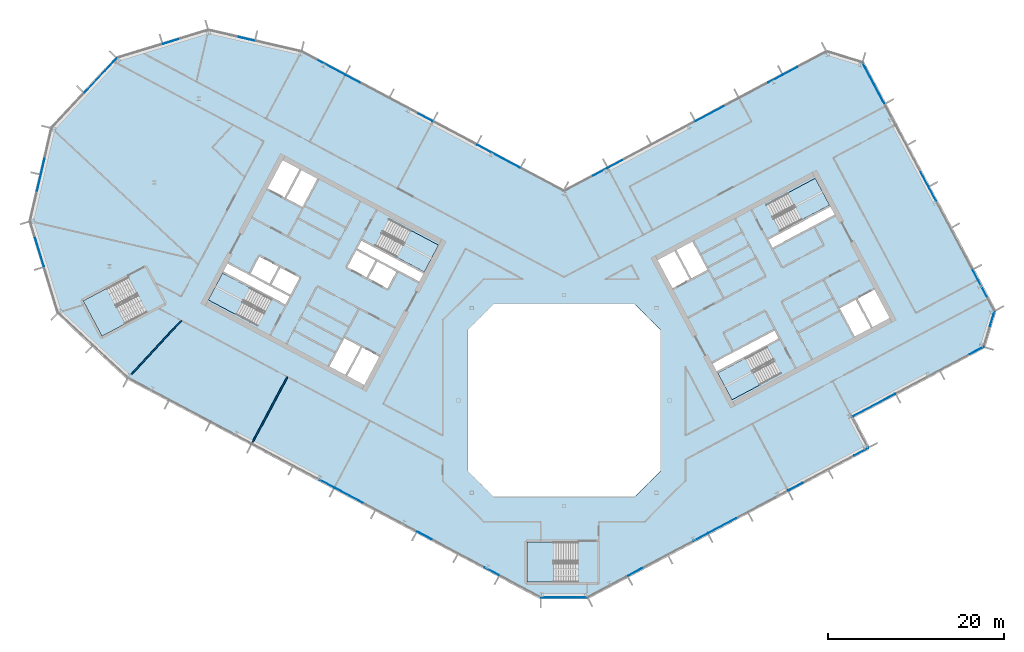
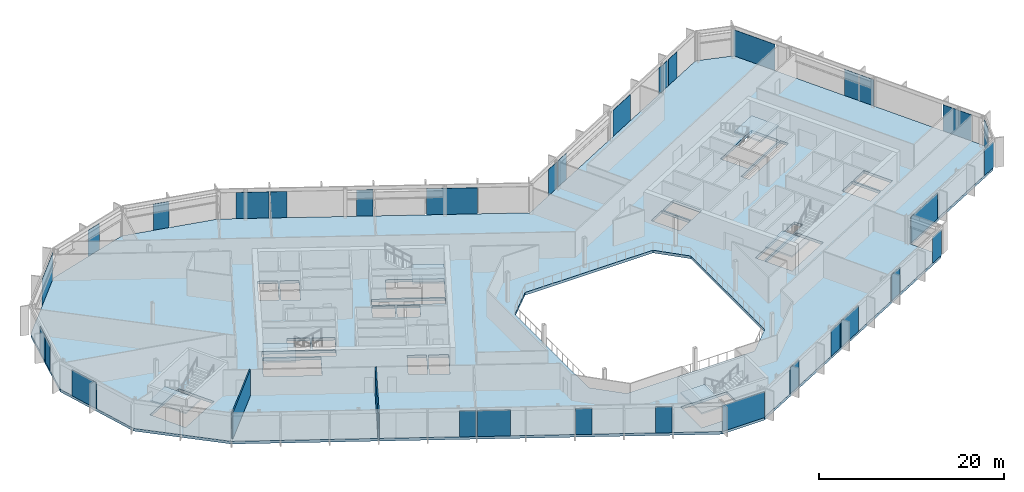
# One storey, part 11 of 26: 32 plates, 7 slabs, 2 walls, 19 elements without a shape of their own.
"""IFC4 building model written with IfcOpenShell, lengths in metres."""

from ifc_helpers import new_model, si_unit, direction, frame, frame_2d, origin, origin_2d, place, context, subcontext, project, spatial, polyline, rectangle, outline, extrude, material, layer, layer_set, type_object, element, aggregate, save


model = new_model("IFC4")

# Units and contexts
model_context = context("Model", 3, precision=1e-05, world=origin(), true_north=direction((0.0, 1.0)))
body_context = subcontext(model_context, "Body", "Model", "MODEL_VIEW")
ifc_project = project(units=[si_unit("LENGTHUNIT", "METRE"), si_unit("AREAUNIT", "SQUARE_METRE"), si_unit("VOLUMEUNIT", "CUBIC_METRE"), si_unit("PLANEANGLEUNIT", "RADIAN"), si_unit("MASSUNIT", "GRAM", prefix="KILO")], contexts=[model_context])

# Site, building, storey
site_placement = place(None, origin())
site = spatial("IfcSite", under=ifc_project, at=site_placement, CompositionType="ELEMENT")
building_placement = place(site_placement, origin())
building = spatial("IfcBuilding", under=site, at=building_placement, Name="Cormorant Relay Tower", CompositionType="ELEMENT")
storey_placement = place(building_placement, frame((0.0, 0.0, 248.10009765625)))
storey = spatial("IfcBuildingStorey", under=building, at=storey_placement, Name="L55", CompositionType="ELEMENT", Elevation=248.10009765625)

# Curtain wall, plates
ifc_material_1 = material(Name="Aluminium 6063-T6 anodised bronze", Category="aluminium")
ifc_layer_1 = layer(ifc_material_1, 0.199951171875)
ifc_layer_set_1 = layer_set([ifc_layer_1], Name="CW1 unitised bronze curtain wall with vertical fins")
curtain_wall_type = type_object("IfcCurtainWallType", Name="CW1 unitised bronze curtain wall with vertical fins", PredefinedType="NOTDEFINED", material=ifc_layer_set_1)
curtain_wall_1_placement = place(storey_placement, origin())
curtain_wall_1 = element("IfcCurtainWall", 1, at=curtain_wall_1_placement, inside=storey, type_object=curtain_wall_type, Name="CW1 curtain wall 2", PredefinedType="NOTDEFINED")
ifc_material_2 = material(Name="Tinted laminated glass", Category="glass")
ifc_layer_2 = layer(ifc_material_2, 0.0400390625)
ifc_layer_set_2 = layer_set([ifc_layer_2], Name="CW1 tinted vision panel 1800 module")
plate_type_1 = type_object("IfcPlateType", Name="CW1 tinted vision panel 1800 module", PredefinedType="CURTAIN_PANEL", material=ifc_layer_set_2)
plate_1_placement = place(storey_placement, frame((8.080810546875, -19.510009765625, 0.0), z_axis=(0.0, 0.0, 1.0), x_axis=(0.882947592859, 0.469471562786, 0.0)))
plate_1 = element("IfcPlate", 2, at=plate_1_placement, type_object=plate_type_1, Name="CW1 panel V01", PredefinedType="CURTAIN_PANEL", context=body_context, shape_type="SweptSolid", body=[
    extrude(rectangle(XDim=1.800048828125, YDim=0.0400390625, at=origin_2d()), origin(), (0.0, 0.0, 1.0), 3.449951171875),
])
plate_2_placement = place(storey_placement, frame((15.48291015625, -15.57421875, 0.0), z_axis=(0.0, 0.0, 1.0), x_axis=(0.882947592859, 0.469471562786, 0.0)))
plate_2 = element("IfcPlate", 3, at=plate_2_placement, type_object=plate_type_1, Name="CW1 panel V03", PredefinedType="CURTAIN_PANEL", context=body_context, shape_type="SweptSolid", body=[
    extrude(rectangle(XDim=1.800048828125, YDim=0.0400390625, at=origin_2d()), origin(), (0.0, 0.0, 1.0), 3.449951171875),
])
plate_3_placement = place(storey_placement, frame((26.328125, -9.8076171875, 0.0), z_axis=(0.0, 0.0, 1.0), x_axis=(0.882947592859, 0.469471562786, 0.0)))
plate_3 = element("IfcPlate", 4, at=plate_3_placement, type_object=plate_type_1, Name="CW1 panel V06", PredefinedType="CURTAIN_PANEL", context=body_context, shape_type="SweptSolid", body=[
    extrude(rectangle(XDim=1.800048828125, YDim=0.0400390625, at=origin_2d()), origin(), (0.0, 0.0, 1.0), 3.449951171875),
])
plate_4_placement = place(storey_placement, frame((33.796142578125, -5.8369140625, 0.0), z_axis=(0.0, 0.0, 1.0), x_axis=(0.882947592859, 0.469471562786, 0.0)))
plate_4 = element("IfcPlate", 5, at=plate_4_placement, type_object=plate_type_1, Name="CW1 panel V08", PredefinedType="CURTAIN_PANEL", context=body_context, shape_type="SweptSolid", body=[
    extrude(rectangle(XDim=1.800048828125, YDim=0.0400390625, at=origin_2d()), origin(), (0.0, 0.0, 1.0), 3.449951171875),
])

# Curtain wall, plate
curtain_wall_2_placement = place(storey_placement, origin())
curtain_wall_2 = element("IfcCurtainWall", 6, at=curtain_wall_2_placement, inside=storey, type_object=curtain_wall_type, Name="CW1 curtain wall 4", PredefinedType="NOTDEFINED")
plate_5_placement = place(storey_placement, frame((46.928466796875, 5.67578125, 0.0), z_axis=(0.0, 0.0, 1.0), x_axis=(0.882947592859, 0.469471562786, 0.0)))
plate_5 = element("IfcPlate", 7, at=plate_5_placement, type_object=plate_type_1, Name="CW1 panel V02", PredefinedType="CURTAIN_PANEL", context=body_context, shape_type="SweptSolid", body=[
    extrude(rectangle(XDim=1.800048828125, YDim=0.0400390625, at=origin_2d()), origin(), (0.0, 0.0, 1.0), 3.449951171875),
])

curtain_wall_3_placement = place(storey_placement, origin())
curtain_wall_3 = element("IfcCurtainWall", 8, at=curtain_wall_3_placement, inside=storey, type_object=curtain_wall_type, Name="CW1 curtain wall 5", PredefinedType="NOTDEFINED")
plate_6_placement = place(storey_placement, frame((48.710205078125, 9.306884765625, 0.0), z_axis=(0.0, 0.0, 1.0), x_axis=(0.292371704723, 0.956304755963, 0.0)))
plate_6 = element("IfcPlate", 9, at=plate_6_placement, type_object=plate_type_1, Name="CW1 panel V01", PredefinedType="CURTAIN_PANEL", context=body_context, shape_type="SweptSolid", body=[
    extrude(rectangle(XDim=1.800048828125, YDim=0.0400390625, at=origin_2d()), origin(), (0.0, 0.0, 1.0), 3.449951171875),
])
aggregate(curtain_wall_3, [plate_6])

# Curtain wall, plates
curtain_wall_4_placement = place(storey_placement, origin())
curtain_wall_4 = element("IfcCurtainWall", 10, at=curtain_wall_4_placement, inside=storey, type_object=curtain_wall_type, Name="CW1 curtain wall 6", PredefinedType="NOTDEFINED")
plate_7_placement = place(storey_placement, frame((41.91796875, 23.448974609375, 0.0), z_axis=(0.0, 0.0, 1.0), x_axis=(-0.469471562786, 0.882947592859, 0.0)))
plate_7 = element("IfcPlate", 11, at=plate_7_placement, type_object=plate_type_1, Name="CW1 panel V03", PredefinedType="CURTAIN_PANEL", context=body_context, shape_type="SweptSolid", body=[
    extrude(rectangle(XDim=1.800048828125, YDim=0.0400390625, at=origin_2d()), origin(), (0.0, 0.0, 1.0), 3.449951171875),
])
plate_8_placement = place(storey_placement, frame((41.00244140625, 25.1708984375, 0.0), z_axis=(0.0, 0.0, 1.0), x_axis=(-0.469471562786, 0.882947592859, 0.0)))
plate_8 = element("IfcPlate", 12, at=plate_8_placement, type_object=plate_type_1, Name="CW1 panel V04", PredefinedType="CURTAIN_PANEL", context=body_context, shape_type="SweptSolid", body=[
    extrude(rectangle(XDim=1.800048828125, YDim=0.0400390625, at=origin_2d()), origin(), (0.0, 0.0, 1.0), 3.449951171875),
])

curtain_wall_5_placement = place(storey_placement, origin())
curtain_wall_5 = element("IfcCurtainWall", 13, at=curtain_wall_5_placement, inside=storey, type_object=curtain_wall_type, Name="CW1 curtain wall 8", PredefinedType="NOTDEFINED")
plate_9_placement = place(storey_placement, frame((25.746337890625, 37.49609375, 0.0), z_axis=(0.0, 0.0, 1.0), x_axis=(-0.882947592859, -0.469471562786, 0.0)))
plate_9 = element("IfcPlate", 14, at=plate_9_placement, type_object=plate_type_1, Name="CW1 panel V01", PredefinedType="CURTAIN_PANEL", context=body_context, shape_type="SweptSolid", body=[
    extrude(rectangle(XDim=1.800048828125, YDim=0.0400390625, at=origin_2d()), origin(), (0.0, 0.0, 1.0), 3.449951171875),
])
plate_10_placement = place(storey_placement, frame((24.0244140625, 36.580810546875, 0.0), z_axis=(0.0, 0.0, 1.0), x_axis=(-0.882947592859, -0.469471562786, 0.0)))
plate_10 = element("IfcPlate", 15, at=plate_10_placement, type_object=plate_type_1, Name="CW1 panel V02", PredefinedType="CURTAIN_PANEL", context=body_context, shape_type="SweptSolid", body=[
    extrude(rectangle(XDim=1.800048828125, YDim=0.0400390625, at=origin_2d()), origin(), (0.0, 0.0, 1.0), 3.449951171875),
])
plate_11_placement = place(storey_placement, frame((5.830322265625, 26.90673828125, 0.0), z_axis=(0.0, 0.0, 1.0), x_axis=(-0.882947592859, -0.469471562786, 0.0)))
plate_11 = element("IfcPlate", 16, at=plate_11_placement, type_object=plate_type_1, Name="CW1 panel V06", PredefinedType="CURTAIN_PANEL", context=body_context, shape_type="SweptSolid", body=[
    extrude(rectangle(XDim=1.800048828125, YDim=0.0400390625, at=origin_2d()), origin(), (0.0, 0.0, 1.0), 3.449951171875),
])
plate_12_placement = place(storey_placement, frame((4.108642578125, 25.9912109375, 0.0), z_axis=(0.0, 0.0, 1.0), x_axis=(-0.882947592859, -0.469471562786, 0.0)))
plate_12 = element("IfcPlate", 17, at=plate_12_placement, type_object=plate_type_1, Name="CW1 panel V07", PredefinedType="CURTAIN_PANEL", context=body_context, shape_type="SweptSolid", body=[
    extrude(rectangle(XDim=1.800048828125, YDim=0.0400390625, at=origin_2d()), origin(), (0.0, 0.0, 1.0), 3.449951171875),
])

curtain_wall_6_placement = place(storey_placement, origin())
curtain_wall_6 = element("IfcCurtainWall", 18, at=curtain_wall_6_placement, inside=storey, type_object=curtain_wall_type, Name="CW1 curtain wall 9", PredefinedType="NOTDEFINED")
plate_13_placement = place(storey_placement, frame((-15.788330078125, 32.201416015625, 0.0), z_axis=(0.0, 0.0, 1.0), x_axis=(-0.882947592859, 0.469471562786, 0.0)))
plate_13 = element("IfcPlate", 19, at=plate_13_placement, type_object=plate_type_1, Name="CW1 panel V03", PredefinedType="CURTAIN_PANEL", context=body_context, shape_type="SweptSolid", body=[
    extrude(rectangle(XDim=1.800048828125, YDim=0.0400390625, at=origin_2d()), origin(), (0.0, 0.0, 1.0), 3.449951171875),
])
plate_14_placement = place(storey_placement, frame((-24.0244140625, 36.580810546875, 0.0), z_axis=(0.0, 0.0, 1.0), x_axis=(-0.882947592859, 0.469471562786, 0.0)))
plate_14 = element("IfcPlate", 20, at=plate_14_placement, type_object=plate_type_1, Name="CW1 panel V05", PredefinedType="CURTAIN_PANEL", context=body_context, shape_type="SweptSolid", body=[
    extrude(rectangle(XDim=1.800048828125, YDim=0.0400390625, at=origin_2d()), origin(), (0.0, 0.0, 1.0), 3.449951171875),
])

# Curtain wall, plate
curtain_wall_7_placement = place(storey_placement, origin())
curtain_wall_7 = element("IfcCurtainWall", 21, at=curtain_wall_7_placement, inside=storey, type_object=curtain_wall_type, Name="CW1 curtain wall 10", PredefinedType="NOTDEFINED")
plate_15_placement = place(storey_placement, frame((-36.114990234375, 41.129638671875, 0.0), z_axis=(0.0, 0.0, 1.0), x_axis=(-0.974370064785, 0.224951054344, 0.0)))
plate_15 = element("IfcPlate", 22, at=plate_15_placement, type_object=plate_type_1, Name="CW1 panel V01", PredefinedType="CURTAIN_PANEL", context=body_context, shape_type="SweptSolid", body=[
    extrude(rectangle(XDim=1.800048828125, YDim=0.0400390625, at=origin_2d()), origin(), (0.0, 0.0, 1.0), 3.449951171875),
])
aggregate(curtain_wall_7, [plate_15])

curtain_wall_8_placement = place(storey_placement, origin())
curtain_wall_8 = element("IfcCurtainWall", 23, at=curtain_wall_8_placement, inside=storey, type_object=curtain_wall_type, Name="CW1 curtain wall 11", PredefinedType="NOTDEFINED")
plate_16_placement = place(storey_placement, frame((-44.73681640625, 40.82861328125, 0.0), z_axis=(0.0, 0.0, 1.0), x_axis=(-0.956304755963, -0.292371704723, 0.0)))
plate_16 = element("IfcPlate", 24, at=plate_16_placement, type_object=plate_type_1, Name="CW1 panel V01", PredefinedType="CURTAIN_PANEL", context=body_context, shape_type="SweptSolid", body=[
    extrude(rectangle(XDim=1.800048828125, YDim=0.0400390625, at=origin_2d()), origin(), (0.0, 0.0, 1.0), 3.449951171875),
])
aggregate(curtain_wall_8, [plate_16])

# Curtain wall, plates
curtain_wall_9_placement = place(storey_placement, origin())
curtain_wall_9 = element("IfcCurtainWall", 25, at=curtain_wall_9_placement, inside=storey, type_object=curtain_wall_type, Name="CW1 curtain wall 13", PredefinedType="NOTDEFINED")
plate_17_placement = place(storey_placement, frame((-59.29736328125, 26.643798828125, 0.0), z_axis=(0.0, 0.0, 1.0), x_axis=(-0.224951054344, -0.974370064785, 0.0)))
plate_17 = element("IfcPlate", 26, at=plate_17_placement, type_object=plate_type_1, Name="CW1 panel V01", PredefinedType="CURTAIN_PANEL", context=body_context, shape_type="SweptSolid", body=[
    extrude(rectangle(XDim=1.800048828125, YDim=0.0400390625, at=origin_2d()), origin(), (0.0, 0.0, 1.0), 3.449951171875),
])
plate_18_placement = place(storey_placement, frame((-59.736083984375, 24.74365234375, 0.0), z_axis=(0.0, 0.0, 1.0), x_axis=(-0.224951054344, -0.974370064785, 0.0)))
plate_18 = element("IfcPlate", 27, at=plate_18_placement, type_object=plate_type_1, Name="CW1 panel V02", PredefinedType="CURTAIN_PANEL", context=body_context, shape_type="SweptSolid", body=[
    extrude(rectangle(XDim=1.800048828125, YDim=0.0400390625, at=origin_2d()), origin(), (0.0, 0.0, 1.0), 3.449951171875),
])
aggregate(curtain_wall_9, [plate_17, plate_18])

curtain_wall_10_placement = place(storey_placement, origin())
curtain_wall_10 = element("IfcCurtainWall", 28, at=curtain_wall_10_placement, inside=storey, type_object=curtain_wall_type, Name="CW1 curtain wall 16", PredefinedType="NOTDEFINED")
plate_19_placement = place(storey_placement, frame((-26.990478515625, -9.45556640625, 0.0), z_axis=(0.0, 0.0, 1.0), x_axis=(0.882947592859, -0.469471562786, 0.0)))
plate_19 = element("IfcPlate", 29, at=plate_19_placement, type_object=plate_type_1, Name="CW1 panel V05", PredefinedType="CURTAIN_PANEL", context=body_context, shape_type="SweptSolid", body=[
    extrude(rectangle(XDim=1.800048828125, YDim=0.0400390625, at=origin_2d()), origin(), (0.0, 0.0, 1.0), 3.449951171875),
])
plate_20_placement = place(storey_placement, frame((-15.880126953125, -15.363037109375, 0.0), z_axis=(0.0, 0.0, 1.0), x_axis=(0.882947592859, -0.469471562786, 0.0)))
plate_20 = element("IfcPlate", 30, at=plate_20_placement, type_object=plate_type_1, Name="CW1 panel V08", PredefinedType="CURTAIN_PANEL", context=body_context, shape_type="SweptSolid", body=[
    extrude(rectangle(XDim=1.800048828125, YDim=0.0400390625, at=origin_2d()), origin(), (0.0, 0.0, 1.0), 3.449951171875),
])
plate_21_placement = place(storey_placement, frame((-8.21337890625, -19.439453125, 0.0), z_axis=(0.0, 0.0, 1.0), x_axis=(0.882947592859, -0.469471562786, 0.0)))
plate_21 = element("IfcPlate", 31, at=plate_21_placement, type_object=plate_type_1, Name="CW1 panel V10", PredefinedType="CURTAIN_PANEL", context=body_context, shape_type="SweptSolid", body=[
    extrude(rectangle(XDim=1.800048828125, YDim=0.0400390625, at=origin_2d()), origin(), (0.0, 0.0, 1.0), 3.449951171875),
])

# Plate
ifc_material_3 = material(Name="Tinted laminated glass", Category="glass")
ifc_layer_3 = layer(ifc_material_3, 0.0400390625)
ifc_layer_set_3 = layer_set([ifc_layer_3], Name="CW1 tinted vision panel 3600 module")
plate_type_2 = type_object("IfcPlateType", Name="CW1 tinted vision panel 3600 module", PredefinedType="CURTAIN_PANEL", material=ifc_layer_set_3)
plate_22_placement = place(storey_placement, frame((17.999267578125, -14.236328125, 0.0), z_axis=(0.0, 0.0, 1.0), x_axis=(0.882947592859, 0.469471562786, 0.0)))
plate_22 = element("IfcPlate", 32, at=plate_22_placement, type_object=plate_type_2, Name="CW1 panel V04", PredefinedType="CURTAIN_PANEL", context=body_context, shape_type="SweptSolid", body=[
    extrude(rectangle(XDim=3.60009765625, YDim=0.0400390625, at=origin_2d()), origin(), (0.0, 0.0, 1.0), 3.449951171875),
])

aggregate(curtain_wall_1, [plate_1, plate_2, plate_22, plate_3, plate_4])

plate_23_placement = place(storey_placement, frame((47.34814453125, 13.236328125, 0.0), z_axis=(0.0, 0.0, 1.0), x_axis=(-0.469471562786, 0.882947592859, 0.0)))
plate_23 = element("IfcPlate", 33, at=plate_23_placement, type_object=plate_type_2, Name="CW1 panel V01", PredefinedType="CURTAIN_PANEL", context=body_context, shape_type="SweptSolid", body=[
    extrude(rectangle(XDim=3.60009765625, YDim=0.0400390625, at=origin_2d()), origin(), (0.0, 0.0, 1.0), 3.449951171875),
])

plate_24_placement = place(storey_placement, frame((16.5830078125, 32.6240234375, 0.0), z_axis=(0.0, 0.0, 1.0), x_axis=(-0.882947592859, -0.469471562786, 0.0)))
plate_24 = element("IfcPlate", 34, at=plate_24_placement, type_object=plate_type_2, Name="CW1 panel V04", PredefinedType="CURTAIN_PANEL", context=body_context, shape_type="SweptSolid", body=[
    extrude(rectangle(XDim=3.60009765625, YDim=0.0400390625, at=origin_2d()), origin(), (0.0, 0.0, 1.0), 3.449951171875),
])

aggregate(curtain_wall_5, [plate_9, plate_10, plate_24, plate_11, plate_12])

plate_25_placement = place(storey_placement, frame((-26.541015625, 37.918701171875, 0.0), z_axis=(0.0, 0.0, 1.0), x_axis=(-0.882947592859, 0.469471562786, 0.0)))
plate_25 = element("IfcPlate", 35, at=plate_25_placement, type_object=plate_type_2, Name="CW1 panel V06", PredefinedType="CURTAIN_PANEL", context=body_context, shape_type="SweptSolid", body=[
    extrude(rectangle(XDim=3.60009765625, YDim=0.0400390625, at=origin_2d()), origin(), (0.0, 0.0, 1.0), 3.449951171875),
])

# Curtain wall, plate
curtain_wall_11_placement = place(storey_placement, origin())
curtain_wall_11 = element("IfcCurtainWall", 36, at=curtain_wall_11_placement, inside=storey, type_object=curtain_wall_type, Name="CW1 curtain wall 14", PredefinedType="NOTDEFINED")
plate_26_placement = place(storey_placement, frame((-59.697998046875, 16.98291015625, 0.0), z_axis=(0.0, 0.0, 1.0), x_axis=(0.292371704723, -0.956304755963, 0.0)))
plate_26 = element("IfcPlate", 37, at=plate_26_placement, type_object=plate_type_2, Name="CW1 panel V01", PredefinedType="CURTAIN_PANEL", context=body_context, shape_type="SweptSolid", body=[
    extrude(rectangle(XDim=3.60009765625, YDim=0.0400390625, at=origin_2d()), origin(), (0.0, 0.0, 1.0), 3.449951171875),
])
aggregate(curtain_wall_11, [plate_26])

# Plate
plate_27_placement = place(storey_placement, frame((-24.47412109375, -10.79345703125, 0.0), z_axis=(0.0, 0.0, 1.0), x_axis=(0.882947592859, -0.469471562786, 0.0)))
plate_27 = element("IfcPlate", 38, at=plate_27_placement, type_object=plate_type_2, Name="CW1 panel V06", PredefinedType="CURTAIN_PANEL", context=body_context, shape_type="SweptSolid", body=[
    extrude(rectangle(XDim=3.60009765625, YDim=0.0400390625, at=origin_2d()), origin(), (0.0, 0.0, 1.0), 3.449951171875),
])

aggregate(curtain_wall_10, [plate_19, plate_27, plate_20, plate_21])

# Curtain wall, plate
curtain_wall_12_placement = place(storey_placement, origin())
curtain_wall_12 = element("IfcCurtainWall", 39, at=curtain_wall_12_placement, inside=storey, type_object=curtain_wall_type, Name="CW1 curtain wall 1", PredefinedType="NOTDEFINED")
ifc_material_4 = material(Name="Tinted laminated glass", Category="glass")
ifc_layer_4 = layer(ifc_material_4, 0.0400390625)
ifc_layer_set_4 = layer_set([ifc_layer_4], Name="CW1 tinted vision panel 5400 module")
plate_type_3 = type_object("IfcPlateType", Name="CW1 tinted vision panel 5400 module", PredefinedType="CURTAIN_PANEL", material=ifc_layer_set_4)
plate_28_placement = place(storey_placement, frame((0.03759765625, -22.3955078125, 0.0), z_axis=(0.0, 0.0, 1.0), x_axis=(1.0, 0.0, 0.0)))
plate_28 = element("IfcPlate", 40, at=plate_28_placement, type_object=plate_type_3, Name="CW1 panel V00", PredefinedType="CURTAIN_PANEL", context=body_context, shape_type="SweptSolid", body=[
    extrude(rectangle(XDim=5.22265625, YDim=0.0400390625, at=origin_2d()), origin(), (0.0, 0.0, 1.0), 3.449951171875),
])
aggregate(curtain_wall_12, [plate_28])

# Plate
plate_29_placement = place(storey_placement, frame((35.247802734375, -0.534912109375, 0.0), z_axis=(0.0, 0.0, 1.0), x_axis=(0.882947592859, 0.469471562786, 0.0)))
plate_29 = element("IfcPlate", 41, at=plate_29_placement, type_object=plate_type_3, Name="CW1 panel V00", PredefinedType="CURTAIN_PANEL", context=body_context, shape_type="SweptSolid", body=[
    extrude(rectangle(XDim=5.441650390625, YDim=0.0400390625, at=origin_2d()), origin(), (0.0, 0.0, 1.0), 3.449951171875),
])

aggregate(curtain_wall_2, [plate_29, plate_5])

plate_30_placement = place(storey_placement, frame((35.18310546875, 36.11572265625, 0.0), z_axis=(0.0, 0.0, 1.0), x_axis=(-0.469471562786, 0.882947592859, 0.0)))
plate_30 = element("IfcPlate", 42, at=plate_30_placement, type_object=plate_type_3, Name="CW1 panel V06", PredefinedType="CURTAIN_PANEL", context=body_context, shape_type="SweptSolid", body=[
    extrude(rectangle(XDim=5.25830078125, YDim=0.0400390625, at=origin_2d()), origin(), (0.0, 0.0, 1.0), 3.449951171875),
])

aggregate(curtain_wall_4, [plate_23, plate_7, plate_8, plate_30])

plate_31_placement = place(storey_placement, frame((-7.458984375, 27.772705078125, 0.0), z_axis=(0.0, 0.0, 1.0), x_axis=(-0.882947592859, 0.469471562786, 0.0)))
plate_31 = element("IfcPlate", 43, at=plate_31_placement, type_object=plate_type_3, Name="CW1 panel V01", PredefinedType="CURTAIN_PANEL", context=body_context, shape_type="SweptSolid", body=[
    extrude(rectangle(XDim=5.489013671875, YDim=0.0400390625, at=origin_2d()), origin(), (0.0, 0.0, 1.0), 3.449951171875),
])

aggregate(curtain_wall_6, [plate_31, plate_13, plate_14, plate_25])

# Curtain wall, plate
curtain_wall_13_placement = place(storey_placement, origin())
curtain_wall_13 = element("IfcCurtainWall", 44, at=curtain_wall_13_placement, inside=storey, type_object=curtain_wall_type, Name="CW1 curtain wall 12", PredefinedType="NOTDEFINED")
plate_32_placement = place(storey_placement, frame((-52.72900390625, 36.961181640625, 0.0), z_axis=(0.0, 0.0, 1.0), x_axis=(-0.681998360062, -0.731353701619, 0.0)))
plate_32 = element("IfcPlate", 45, at=plate_32_placement, type_object=plate_type_3, Name="CW1 panel V00", PredefinedType="CURTAIN_PANEL", context=body_context, shape_type="SweptSolid", body=[
    extrude(rectangle(XDim=5.28515625, YDim=0.0400390625, at=origin_2d()), origin(), (0.0, 0.0, 1.0), 3.449951171875),
])
aggregate(curtain_wall_13, [plate_32])

# Stair, slab
ifc_material_5 = material(Name="Concrete 40 MPa", Category="concrete")
stair_type_1 = type_object("IfcStairType", Name="Exit stair 1500", PredefinedType="HALF_TURN_STAIR", material=ifc_material_5)
stair_1_placement = place(storey_placement, origin())
stair_1 = element("IfcStair", 46, at=stair_1_placement, inside=storey, type_object=stair_type_1, Name="L55 Stair", PredefinedType="HALF_TURN_STAIR")
ifc_material_6 = material(Name="Concrete 40 MPa", Category="concrete")
ifc_layer_5 = layer(ifc_material_6, 0.199951171875)
ifc_layer_set_5 = layer_set([ifc_layer_5], Name="Exit stair landing 200")
slab_type_1 = type_object("IfcSlabType", Name="Exit stair landing 200", PredefinedType="LANDING", material=ifc_layer_set_5)
slab_1_placement = place(storey_placement, frame((0.0, 0.0, 1.75)))
slab_1 = element("IfcSlab", 47, at=slab_1_placement, type_object=slab_type_1, Name="A1 landing 1", PredefinedType="LANDING", context=body_context, shape_type="SweptSolid", body=[
    extrude(outline(polyline([(-19.029541015625, 16.29052734375), (-15.89501953125, 14.6240234375), (-14.275390625, 17.670166015625), (-17.40966796875, 19.3369140625), (-19.029541015625, 16.29052734375)])), origin(), (0.0, 0.0, 1.0), 0.199951171875),
])
aggregate(stair_1, [slab_1])

stair_2_placement = place(storey_placement, origin())
stair_2 = element("IfcStair", 48, at=stair_2_placement, inside=storey, type_object=stair_type_1, Name="L55 Stair", PredefinedType="HALF_TURN_STAIR")
slab_2_placement = place(storey_placement, frame((0.0, 0.0, 1.75)))
slab_2 = element("IfcSlab", 49, at=slab_2_placement, type_object=slab_type_1, Name="A2 landing 1", PredefinedType="LANDING", context=body_context, shape_type="SweptSolid", body=[
    extrude(outline(polyline([(-35.71337890625, 12.816650390625), (-38.84765625, 14.483154296875), (-40.467529296875, 11.43701171875), (-37.3330078125, 9.7705078125), (-35.71337890625, 12.816650390625)])), origin(), (0.0, 0.0, 1.0), 0.199951171875),
])
aggregate(stair_2, [slab_2])

stair_3_placement = place(storey_placement, origin())
stair_3 = element("IfcStair", 50, at=stair_3_placement, inside=storey, type_object=stair_type_1, Name="L55 Stair", PredefinedType="HALF_TURN_STAIR")
slab_3_placement = place(storey_placement, frame((0.0, 0.0, 1.75)))
slab_3 = element("IfcSlab", 51, at=slab_3_placement, type_object=slab_type_1, Name="B1 landing 1", PredefinedType="LANDING", context=body_context, shape_type="SweptSolid", body=[
    extrude(outline(polyline([(20.614990234375, 4.78857421875), (17.48046875, 3.1220703125), (19.10009765625, 0.075927734375), (22.234619140625, 1.742431640625), (20.614990234375, 4.78857421875)])), origin(), (0.0, 0.0, 1.0), 0.199951171875),
])
aggregate(stair_3, [slab_3])

stair_4_placement = place(storey_placement, origin())
stair_4 = element("IfcStair", 52, at=stair_4_placement, inside=storey, type_object=stair_type_1, Name="L55 Stair", PredefinedType="HALF_TURN_STAIR")
slab_4_placement = place(storey_placement, frame((0.0, 0.0, 1.75)))
slab_4 = element("IfcSlab", 53, at=slab_4_placement, type_object=slab_type_1, Name="B2 landing 1", PredefinedType="LANDING", context=body_context, shape_type="SweptSolid", body=[
    extrude(outline(polyline([(27.064208984375, 20.562744140625), (30.19873046875, 22.2294921875), (28.5791015625, 25.275634765625), (25.444580078125, 23.60888671875), (27.064208984375, 20.562744140625)])), origin(), (0.0, 0.0, 1.0), 0.199951171875),
])
aggregate(stair_4, [slab_4])

ifc_material_7 = material(Name="Concrete 40 MPa", Category="concrete")
stair_type_2 = type_object("IfcStairType", Name="Remote exit stair 2200", PredefinedType="HALF_TURN_STAIR", material=ifc_material_7)
stair_5_placement = place(storey_placement, origin())
stair_5 = element("IfcStair", 54, at=stair_5_placement, inside=storey, type_object=stair_type_2, Name="L55 Stair", PredefinedType="HALF_TURN_STAIR")
slab_5_placement = place(storey_placement, frame((0.0, 0.0, 1.75)))
slab_5 = element("IfcSlab", 55, at=slab_5_placement, type_object=slab_type_1, Name="RK1 landing 1", PredefinedType="LANDING", context=body_context, shape_type="SweptSolid", body=[
    extrude(outline(polyline([(-1.199951171875, -16.125), (-4.199951171875, -16.125), (-4.199951171875, -20.675048828125), (-1.199951171875, -20.675048828125), (-1.199951171875, -16.125)])), origin(), (0.0, 0.0, 1.0), 0.199951171875),
])
aggregate(stair_5, [slab_5])

stair_6_placement = place(storey_placement, origin())
stair_6 = element("IfcStair", 56, at=stair_6_placement, inside=storey, type_object=stair_type_2, Name="L55 Stair", PredefinedType="HALF_TURN_STAIR")
slab_6_placement = place(storey_placement, frame((0.0, 0.0, 1.75)))
slab_6 = element("IfcSlab", 57, at=slab_6_placement, type_object=slab_type_1, Name="RP1 landing 1", PredefinedType="LANDING", context=body_context, shape_type="SweptSolid", body=[
    extrude(outline(polyline([(-52.051025390625, 12.7392578125), (-54.699951171875, 11.330810546875), (-52.563720703125, 7.3134765625), (-49.914794921875, 8.721923828125), (-52.051025390625, 12.7392578125)])), origin(), (0.0, 0.0, 1.0), 0.199951171875),
])
aggregate(stair_6, [slab_6])

# Slab
ifc_material_8 = material(Name="Concrete 40 MPa", Category="concrete")
ifc_layer_6 = layer(ifc_material_8, 0.360107421875)
ifc_layer_set_6 = layer_set([ifc_layer_6], Name="Flat plate 360")
slab_type_2 = type_object("IfcSlabType", Name="Flat plate 360", PredefinedType="FLOOR", material=ifc_layer_set_6)
slab_7_placement = place(storey_placement, frame((0.0, 0.0, -0.360107421875)))
element("IfcSlab", 58, at=slab_7_placement, inside=storey, type_object=slab_type_2, Name="Floor slab L55", PredefinedType="FLOOR", context=body_context, shape_type="SweptSolid", body=[
    extrude(outline(polyline([(-60.7197265625, 20.393310546875), (-58.2744140625, 30.985107421875), (-50.86083984375, 38.935302734375), (-40.465576171875, 42.11328125), (-29.873779296875, 39.668212890625), (0.0, 23.783935546875), (29.873779296875, 39.668212890625), (33.930908203125, 38.427734375), (48.9541015625, 10.17333984375), (47.713623046875, 6.1162109375), (32.70361328125, -1.864990234375), (34.581298828125, -5.396728515625), (2.648681640625, -22.37548828125), (-2.648681640625, -22.37548828125), (-49.591552734375, 2.584228515625), (-57.541748046875, 9.997802734375), (-60.7197265625, 20.393310546875)]), holes=[polyline([(11.0, -8.0), (11.0, 8.0), (8.0, 11.0), (-8.0, 11.0), (-11.0, 8.0), (-11.0, -8.0), (-8.0, -11.0), (8.0, -11.0), (11.0, -8.0)]), polyline([(-22.95458984375, 6.03271484375), (-24.668212890625, 2.81005859375), (-22.725830078125, 1.777099609375), (-21.01220703125, 5.0), (-23.04296875, 6.07958984375), (-22.95458984375, 6.03271484375)]), polyline([(-24.985595703125, 7.112548828125), (-26.69921875, 3.889892578125), (-24.844970703125, 2.90380859375), (-23.13134765625, 6.126708984375), (-23.04296875, 6.07958984375), (-24.985595703125, 7.112548828125)]), polyline([(-54.69970703125, 11.330810546875), (-52.563720703125, 7.3134765625), (-47.442626953125, 10.036376953125), (-49.57861328125, 14.0537109375), (-54.69970703125, 11.330810546875)]), polyline([(-33.240966796875, 11.502197265625), (-38.847900390625, 14.483154296875), (-40.46728515625, 11.43701171875), (-34.860595703125, 8.455810546875), (-33.240966796875, 11.502197265625)]), polyline([(-38.260986328125, 15.5869140625), (-38.75390625, 14.659912109375), (-31.690185546875, 10.904052734375), (-31.197265625, 11.8310546875), (-38.260986328125, 15.5869140625)]), polyline([(-31.103515625, 12.0078125), (-30.070556640625, 13.9501953125), (-32.278076171875, 15.123779296875), (-33.310791015625, 13.181396484375), (-31.103515625, 12.0078125)]), polyline([(-22.2880859375, 13.889404296875), (-20.080810546875, 12.7158203125), (-19.048095703125, 14.658203125), (-21.25537109375, 15.831787109375), (-22.2880859375, 13.889404296875)]), polyline([(-34.661865234375, 16.3916015625), (-35.69482421875, 14.448974609375), (-33.4873046875, 13.275390625), (-32.45458984375, 15.2177734375), (-34.661865234375, 16.3916015625)]), polyline([(-22.46484375, 13.9833984375), (-21.431884765625, 15.92578125), (-23.639404296875, 17.099609375), (-24.672119140625, 15.156982421875), (-22.46484375, 13.9833984375)]), polyline([(-31.611572265625, 22.980712890625), (-29.75732421875, 21.99462890625), (-28.043701171875, 25.217529296875), (-29.89794921875, 26.203369140625), (-31.611572265625, 22.980712890625)]), polyline([(-32.01708984375, 27.330078125), (-33.73046875, 24.107421875), (-31.7880859375, 23.074462890625), (-30.074462890625, 26.29736328125), (-32.01708984375, 27.330078125)]), polyline([(-4.199951171875, -16.125), (-4.199951171875, -20.675048828125), (1.60009765625, -20.675048828125), (1.60009765625, -16.125), (-4.199951171875, -16.125)]), polyline([(17.48046875, 3.1220703125), (19.10009765625, 0.07568359375), (24.706787109375, 3.056884765625), (23.087158203125, 6.10302734375), (17.48046875, 3.1220703125)]), polyline([(17.386474609375, 3.298583984375), (24.4501953125, 7.054443359375), (23.957275390625, 7.9814453125), (16.8935546875, 4.2255859375), (17.386474609375, 3.298583984375)]), polyline([(33.197021484375, 11.478515625), (31.3427734375, 10.49267578125), (33.056396484375, 7.27001953125), (34.910400390625, 8.255859375), (33.197021484375, 11.478515625)]), polyline([(33.37353515625, 11.572509765625), (35.087158203125, 8.349609375), (37.029541015625, 9.382568359375), (35.31591796875, 12.605224609375), (33.37353515625, 11.572509765625)]), polyline([(14.3056640625, 13.779052734375), (12.592041015625, 17.001708984375), (10.649658203125, 15.968994140625), (12.36328125, 12.74609375), (14.39404296875, 13.825927734375), (14.3056640625, 13.779052734375)]), polyline([(16.33642578125, 14.85888671875), (14.622802734375, 18.08154296875), (12.768798828125, 17.095703125), (14.482421875, 13.872802734375), (14.39404296875, 13.825927734375), (16.33642578125, 14.85888671875)]), polyline([(-16.481689453125, 13.520263671875), (-15.989013671875, 14.447509765625), (-23.052490234375, 18.203125), (-23.54541015625, 17.276123046875), (-16.481689453125, 13.520263671875)]), polyline([(-15.89501953125, 14.6240234375), (-14.275390625, 17.670166015625), (-19.882080078125, 20.6513671875), (-21.501708984375, 17.605224609375), (-15.89501953125, 14.6240234375)]), polyline([(30.78564453125, 21.125732421875), (30.29248046875, 22.052978515625), (23.22900390625, 18.297119140625), (23.721923828125, 17.3701171875), (30.78564453125, 21.125732421875)]), polyline([(24.592041015625, 19.248291015625), (30.19873046875, 22.2294921875), (28.5791015625, 25.275634765625), (22.972412109375, 22.29443359375), (24.592041015625, 19.248291015625)])]), origin(), (0.0, 0.0, 1.0), 0.360107421875),
])

# Walls
ifc_material_9 = material(Name="Gypsum board partition")
ifc_layer_7 = layer(ifc_material_9, 0.14990234375)
ifc_layer_set_7 = layer_set([ifc_layer_7], Name="Tenant partition 150")
wall_type = type_object("IfcWallType", Name="Tenant partition 150", PredefinedType="PARTITIONING", material=ifc_layer_set_7)
wall_1_placement = place(storey_placement, frame((-43.51904296875, 9.095947265625, 0.0), z_axis=(0.0, 0.0, 1.0), x_axis=(-0.681976527411, -0.731374060287, 0.0)))
element("IfcWall", 59, at=wall_1_placement, inside=storey, type_object=wall_type, Name="wall/L55/part/008", PredefinedType="PARTITIONING", context=body_context, shape_type="SweptSolid", body=[
    extrude(rectangle(XDim=8.402099609375, YDim=0.14990234375, at=frame_2d((4.201171875, 0.0))), origin(), (0.0, 0.0, 1.0), 3.449951171875),
])
wall_2_placement = place(storey_placement, frame((-31.470947265625, 2.68994140625, 0.0), z_axis=(0.0, 0.0, 1.0), x_axis=(-0.469532456729, -0.882915212281, 0.0)))
element("IfcWall", 60, at=wall_2_placement, inside=storey, type_object=wall_type, Name="wall/L55/part/009", PredefinedType="PARTITIONING", context=body_context, shape_type="SweptSolid", body=[
    extrude(rectangle(XDim=8.80029296875, YDim=0.14990234375, at=frame_2d((4.400146484375, 0.0))), origin(), (0.0, 0.0, 1.0), 3.449951171875),
])

save(model, "model.ifc")
